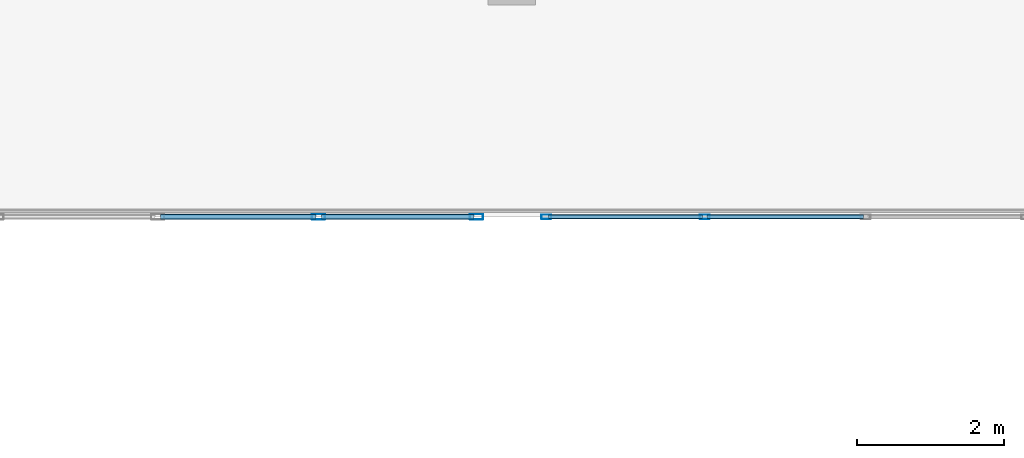
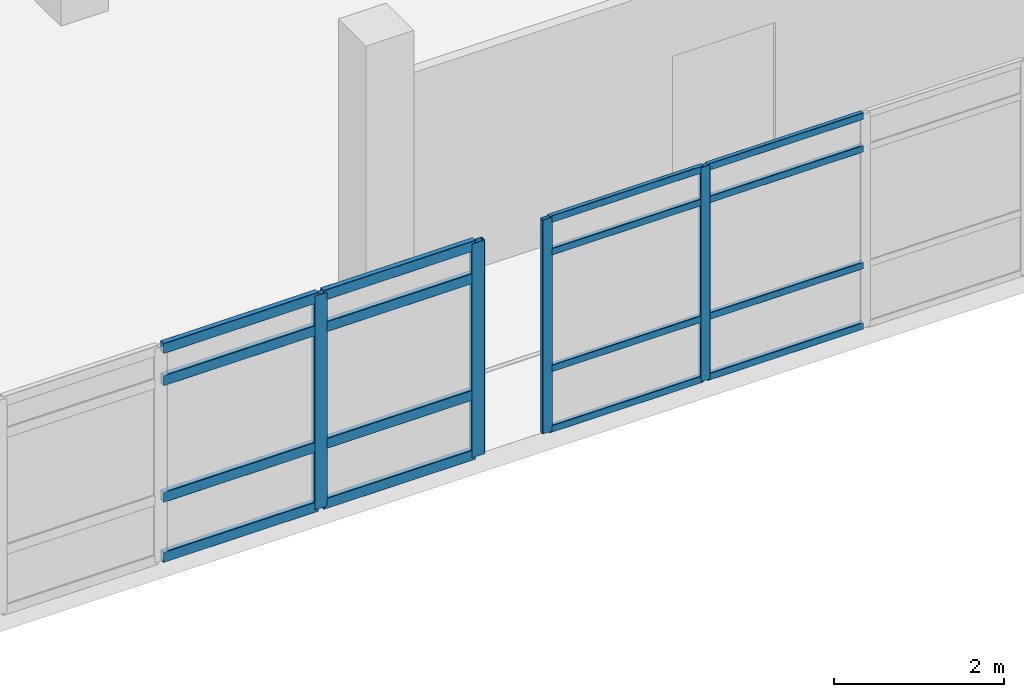
# One storey, part 26 of 72: 20 members, 2 elements without a shape of their own.
"""IFC4 building model written with IfcOpenShell, lengths in metres."""

import ifcopenshell
import ifcopenshell.guid

model = None  # the IFC model being written
_history = None  # IfcOwnerHistory: only IFC2X3 demands one
_inside = {}  # id of a spatial element -> (the spatial element, [elements in it])
_under = {}  # id of a project, library or spatial element -> (it, [spatial elements below it])
_declared = {}  # id of a project -> (the project, [libraries it declares])
_typed = {}  # id of a type object -> (the type object, [elements of that type])
_made_of = {}  # id of a material, layer set ... -> (it, [elements and type objects made of it])


def new_model(schema):
    """Start an empty IFC model of exactly this schema.

    Asked for "IFC4X3", IfcOpenShell would pick the latest addendum, in which some entities
    have other attributes; the version numbers below select the first issue.
    IFC2X3 requires an IfcOwnerHistory on every rooted entity: one is made here for all.
    """
    global model, _history
    if schema == "IFC4X3":
        model = ifcopenshell.file(schema_version=(4, 3, 0, 0))
    else:
        model = ifcopenshell.file(schema=schema)
    _inside.clear()
    _under.clear()
    _declared.clear()
    _typed.clear()
    _made_of.clear()
    _history = None
    if model.schema == "IFC2X3":
        org = make("IfcOrganization", Name="unknown")
        user = make(
            "IfcPersonAndOrganization",
            ThePerson=make("IfcPerson", FamilyName="unknown"),
            TheOrganization=org,
        )
        app = make(
            "IfcApplication",
            ApplicationDeveloper=org,
            Version="unknown",
            ApplicationFullName="unknown",
            ApplicationIdentifier="unknown",
        )
        _history = make(
            "IfcOwnerHistory",
            OwningUser=user,
            OwningApplication=app,
            ChangeAction="ADDED",
            CreationDate=0,
        )
    return model


def make(cls, **values):
    """One entity of the class cls with the attributes given. An attribute that is None is left unset."""
    return model.create_entity(
        cls, **{name: value for name, value in values.items() if value is not None}
    )


def rooted(cls, **values):
    """An entity with a GlobalId (a new one), such as an element, a storey or a relation."""
    return make(cls, GlobalId=ifcopenshell.guid.new(), OwnerHistory=_history, **values)


def si_unit(unit_type, name, prefix=None):
    """IfcSIUnit, for example si_unit("LENGTHUNIT", "METRE", prefix="MILLI")."""
    return make("IfcSIUnit", UnitType=unit_type, Prefix=prefix, Name=name)


def assignment(units):
    """IfcUnitAssignment: the units of a project."""
    return None if units is None else make("IfcUnitAssignment", Units=units)


def point(xyz):
    """IfcCartesianPoint."""
    return None if xyz is None else make("IfcCartesianPoint", Coordinates=xyz)


def direction(xyz):
    """IfcDirection."""
    return None if xyz is None else make("IfcDirection", DirectionRatios=xyz)


def frame(location, z_axis=None, x_axis=None):
    """IfcAxis2Placement3D, a coordinate frame: its origin and axes. An axis left out is left unset."""
    return make(
        "IfcAxis2Placement3D",
        Location=point(location),
        Axis=direction(z_axis),
        RefDirection=direction(x_axis),
    )


def frame_2d(location, x_axis=None):
    """IfcAxis2Placement2D, a coordinate frame in the plane: its origin and x axis."""
    return make(
        "IfcAxis2Placement2D", Location=point(location), RefDirection=direction(x_axis)
    )


def origin():
    """The frame at (0, 0, 0) with its axes left unset."""
    return frame((0.0, 0.0, 0.0))


def origin_2d():
    """The frame at (0, 0) in the plane with its x axis left unset."""
    return frame_2d((0.0, 0.0))


def place(relative_to, where):
    """IfcLocalPlacement: puts the frame where relative to a parent placement (None: the world)."""
    return make(
        "IfcLocalPlacement", PlacementRelTo=relative_to, RelativePlacement=where
    )


def context(
    kind, dimensions, precision=None, world=None, true_north=None, identifier=None
):
    """IfcGeometricRepresentationContext, for example the 3D "Model" context."""
    return make(
        "IfcGeometricRepresentationContext",
        ContextIdentifier=identifier,
        ContextType=kind,
        CoordinateSpaceDimension=dimensions,
        Precision=precision,
        WorldCoordinateSystem=world,
        TrueNorth=true_north,
    )


def subcontext(parent, identifier, kind, view, scale=None):
    """IfcGeometricRepresentationSubContext, for example "Body" below "Model"."""
    return make(
        "IfcGeometricRepresentationSubContext",
        ContextIdentifier=identifier,
        ContextType=kind,
        ParentContext=parent,
        TargetScale=scale,
        TargetView=view,
    )


def project(units=None, contexts=None):
    """IfcProject with its units and contexts."""
    return rooted(
        "IfcProject",
        Name="project",
        RepresentationContexts=contexts,
        UnitsInContext=assignment(units),
    )


def spatial(cls, under=None, at=None, **own):
    """A site, building, storey or space (cls), placed at a placement, below another one or the project."""
    s = rooted(cls, ObjectPlacement=at, **own)
    if under is not None:
        _under.setdefault(under.id(), (under, []))[1].append(s)
    return s


def profile(cls, at=None, kind="AREA", **sizes):
    """A parametric profile (cls). Its sizes go by their IFC names, for example OverallWidth=200.0."""
    return make(cls, ProfileType=kind, Position=at, **sizes)


def hollow_rectangle(**sizes):
    """IfcRectangleHollowProfileDef."""
    return profile("IfcRectangleHollowProfileDef", **sizes)


def extrude(swept, where, along, depth):
    """IfcExtrudedAreaSolid: the profile swept, set in the frame where, extruded along a direction by depth."""
    return make(
        "IfcExtrudedAreaSolid",
        SweptArea=swept,
        Position=where,
        ExtrudedDirection=direction(along),
        Depth=depth,
    )


def shape(context_of_items, identifier, shape_type, items):
    """IfcShapeRepresentation: the items that make up one representation, for example the "Body"."""
    return make(
        "IfcShapeRepresentation",
        ContextOfItems=context_of_items,
        RepresentationIdentifier=identifier,
        RepresentationType=shape_type,
        Items=items,
    )


def material(Name=None, Category=None):
    """IfcMaterial."""
    return make("IfcMaterial", Name=Name, Category=Category)


def layer(
    of_material, thickness, ventilated=None, Name=None, Category=None, Priority=None
):
    """IfcMaterialLayer: one layer of a wall or slab, of a material (None: an air gap)."""
    return make(
        "IfcMaterialLayer",
        Material=of_material,
        LayerThickness=thickness,
        IsVentilated=ventilated,
        Name=Name,
        Category=Category,
        Priority=Priority,
    )


def layer_set(layers, Name=None):
    """IfcMaterialLayerSet."""
    return make("IfcMaterialLayerSet", MaterialLayers=layers, LayerSetName=Name)


def material_profile(
    of_material, cross_section, Name=None, Category=None, Priority=None
):
    """IfcMaterialProfile: a cross section and its material."""
    return make(
        "IfcMaterialProfile",
        Name=Name,
        Material=of_material,
        Profile=cross_section,
        Priority=Priority,
        Category=Category,
    )


def profile_set(profiles, Name=None, composite=None):
    """IfcMaterialProfileSet."""
    return make(
        "IfcMaterialProfileSet",
        Name=Name,
        MaterialProfiles=profiles,
        CompositeProfile=composite,
    )


def made_of(thing, what):
    """Note that an element or type object is made of a material, layer set ...; save() writes the relation."""
    if what is not None:
        _made_of.setdefault(what.id(), (what, []))[1].append(thing)
    return thing


def type_object(cls, material=None, **own):
    """A type object (cls), such as IfcWallType, which elements share."""
    return made_of(rooted(cls, **own), material)


def element(
    cls,
    number,
    at=None,
    inside=None,
    cuts=None,
    type_object=None,
    material=None,
    context=None,
    identifier="Body",
    shape_type=None,
    held_by="IfcProductDefinitionShape",
    body=None,
    shapes=None,
    **own,
):
    """One element of the class cls, such as IfcWall. Its Tag is "e" and its number.

    at: its placement. inside: the storey or other place that contains it. cuts: it is an
    opening in that element (IfcRelVoidsElement). A single representation is given by context,
    identifier, shape_type and body (its items); several are given by shapes. held_by: the class
    of the entity that holds the representations. save() writes the other relations.
    """
    e = rooted(cls, Tag="e%d" % number, ObjectPlacement=at, **own)
    if body is not None:
        shapes = [shape(context, identifier, shape_type, body)]
    if shapes is not None:
        e.Representation = make(held_by, Representations=shapes)
    if inside is not None:
        _inside.setdefault(inside.id(), (inside, []))[1].append(e)
    if cuts is not None:
        rooted(
            "IfcRelVoidsElement", RelatingBuildingElement=cuts, RelatedOpeningElement=e
        )
    if type_object is not None:
        _typed.setdefault(type_object.id(), (type_object, []))[1].append(e)
    return made_of(e, material)


def aggregate(whole, parts):
    """IfcRelAggregates: a whole, such as a stair, and the parts it consists of."""
    return rooted("IfcRelAggregates", RelatingObject=whole, RelatedObjects=parts)


def save(model, path):
    """Write the relations noted so far, then the file.

    IfcRelAggregates (storeys below a building ...), IfcRelContainedInSpatialStructure (elements
    in a storey), IfcRelDefinesByType, IfcRelAssociatesMaterial and IfcRelDeclares: one each for
    every whole, place, type object, material and project.
    """
    for whole, parts in _under.values():
        aggregate(whole, parts)
    for where, things in _inside.values():
        rooted(
            "IfcRelContainedInSpatialStructure",
            RelatedElements=things,
            RelatingStructure=where,
        )
    for kind, things in _typed.values():
        rooted("IfcRelDefinesByType", RelatedObjects=things, RelatingType=kind)
    for what, things in _made_of.values():
        rooted("IfcRelAssociatesMaterial", RelatedObjects=things, RelatingMaterial=what)
    for by, libraries in _declared.values():
        rooted("IfcRelDeclares", RelatingContext=by, RelatedDefinitions=libraries)
    model.write(path)


model = new_model("IFC4")

# Units and contexts
model_context = context("Model", 3, precision=1e-05, world=origin(), true_north=direction((0.0, 1.0)))
body_context = subcontext(model_context, "Body", "Model", "MODEL_VIEW")
ifc_project = project(units=[si_unit("LENGTHUNIT", "METRE"), si_unit("AREAUNIT", "SQUARE_METRE"), si_unit("VOLUMEUNIT", "CUBIC_METRE"), si_unit("PLANEANGLEUNIT", "RADIAN"), si_unit("MASSUNIT", "GRAM", prefix="KILO")], contexts=[model_context])

# Site, building, storey
site_placement = place(None, origin())
site = spatial("IfcSite", under=ifc_project, at=site_placement, CompositionType="ELEMENT")
building_placement = place(site_placement, origin())
building = spatial("IfcBuilding", under=site, at=building_placement, Name="Asteropetra Specialist Clinic", CompositionType="ELEMENT")
storey_placement = place(building_placement, frame((0.0, 0.0, 12.580078125)))
storey = spatial("IfcBuildingStorey", under=building, at=storey_placement, Name="L03", CompositionType="ELEMENT", Elevation=12.580078125)

# Curtain wall, members
ifc_material_1 = material(Name="Aluminium and low-E glass", Category="aluminium")
ifc_layer_1 = layer(ifc_material_1, 0.179931640625)
ifc_layer_set_1 = layer_set([ifc_layer_1], Name="Aluminium and low-E glass")
curtain_wall_type_1 = type_object("IfcCurtainWallType", Name="CW-SYS-04", PredefinedType="USERDEFINED", material=ifc_layer_set_1)
curtain_wall_1_placement = place(storey_placement, origin())
curtain_wall_1 = element("IfcCurtainWall", 1, at=curtain_wall_1_placement, inside=storey, type_object=curtain_wall_type_1, Name="Curtain Wall CW-044", ObjectType="UNITISED CURTAIN WALL", PredefinedType="USERDEFINED")
ifc_material_2 = material(Name="Aluminium 6063-T6", Category="aluminium")
ifc_material_profile_1 = material_profile(ifc_material_2, hollow_rectangle(XDim=0.06005859375, YDim=0.135009765625, WallThickness=0.00341796875, InnerFilletRadius=0.00341796875, OuterFilletRadius=0.007080078125, at=origin_2d()), Name="MUL 135x60x3.5")
ifc_profile_set_1 = profile_set([ifc_material_profile_1], Name="Aluminium 6063-T6")
member_type_1 = type_object("IfcMemberType", Name="CWM-135x60", PredefinedType="MULLION", material=ifc_profile_set_1)
member_1_placement = place(storey_placement, frame((21.820068359375, 95.199951171875, 0.0), z_axis=(0.0, 0.0, 1.0), x_axis=(0.0, -1.0, 0.0)))
member_1 = element("IfcMember", 2, at=member_1_placement, type_object=member_type_1, Name="CW-044 mullion 4", PredefinedType="MULLION", context=body_context, shape_type="SweptSolid", body=[
    extrude(hollow_rectangle(XDim=0.06005859375, YDim=0.135009765625, WallThickness=0.00341796875, InnerFilletRadius=0.00341796875, OuterFilletRadius=0.007080078125, at=origin_2d()), origin(), (0.0, 0.0, 1.0), 3.079833984375),
])
member_2_placement = place(storey_placement, frame((19.669921875, 95.199951171875, 0.0), z_axis=(0.0, 0.0, 1.0), x_axis=(0.0, -1.0, 0.0)))
member_2 = element("IfcMember", 3, at=member_2_placement, type_object=member_type_1, Name="CW-044 mullion 5", PredefinedType="MULLION", context=body_context, shape_type="SweptSolid", body=[
    extrude(hollow_rectangle(XDim=0.06005859375, YDim=0.135009765625, WallThickness=0.00341796875, InnerFilletRadius=0.00341796875, OuterFilletRadius=0.007080078125, at=origin_2d()), origin(), (0.0, 0.0, 1.0), 3.079833984375),
])

ifc_material_3 = material(Name="Aluminium and low-E glass", Category="aluminium")
ifc_layer_2 = layer(ifc_material_3, 0.135009765625)
ifc_layer_set_2 = layer_set([ifc_layer_2], Name="Aluminium and low-E glass")
curtain_wall_type_2 = type_object("IfcCurtainWallType", Name="CW-SYS-03", PredefinedType="USERDEFINED", material=ifc_layer_set_2)
curtain_wall_2_placement = place(storey_placement, origin())
curtain_wall_2 = element("IfcCurtainWall", 4, at=curtain_wall_2_placement, inside=storey, type_object=curtain_wall_type_2, Name="Curtain Wall CW-042", ObjectType="UNITISED CURTAIN WALL", PredefinedType="USERDEFINED")
ifc_material_4 = material(Name="Aluminium 6063-T6", Category="aluminium")
ifc_material_profile_2 = material_profile(ifc_material_4, hollow_rectangle(XDim=0.074951171875, YDim=0.179931640625, WallThickness=0.00390625, InnerFilletRadius=0.00390625, OuterFilletRadius=0.008056640625, at=origin_2d()), Name="MUL 180x75x4.0")
ifc_profile_set_2 = profile_set([ifc_material_profile_2], Name="Aluminium 6063-T6")
member_type_2 = type_object("IfcMemberType", Name="CWM-180x75", PredefinedType="MULLION", material=ifc_profile_set_2)
member_3_placement = place(storey_placement, frame((18.722412109375, 95.199951171875, 0.0), z_axis=(0.0, 0.0, 1.0), x_axis=(0.0, -1.0, 0.0)))
member_3 = element("IfcMember", 5, at=member_3_placement, type_object=member_type_2, Name="CW-042 mullion 1", PredefinedType="MULLION", context=body_context, shape_type="SweptSolid", body=[
    extrude(hollow_rectangle(XDim=0.074951171875, YDim=0.179931640625, WallThickness=0.00390625, InnerFilletRadius=0.00390625, OuterFilletRadius=0.008056640625, at=origin_2d()), origin(), (0.0, 0.0, 1.0), 3.079833984375),
])
member_4_placement = place(storey_placement, frame((16.580078125, 95.199951171875, 0.0), z_axis=(0.0, 0.0, 1.0), x_axis=(0.0, -1.0, 0.0)))
member_4 = element("IfcMember", 6, at=member_4_placement, type_object=member_type_2, Name="CW-042 mullion 2", PredefinedType="MULLION", context=body_context, shape_type="SweptSolid", body=[
    extrude(hollow_rectangle(XDim=0.074951171875, YDim=0.179931640625, WallThickness=0.00390625, InnerFilletRadius=0.00390625, OuterFilletRadius=0.008056640625, at=origin_2d()), origin(), (0.0, 0.0, 1.0), 3.079833984375),
])

# Member
ifc_material_5 = material(Name="Aluminium 6063-T6", Category="aluminium")
ifc_material_profile_3 = material_profile(ifc_material_5, hollow_rectangle(XDim=0.06005859375, YDim=0.10009765625, WallThickness=0.00341796875, InnerFilletRadius=0.00341796875, OuterFilletRadius=0.007080078125, at=origin_2d()), Name="TRN 100x60x3.5")
ifc_profile_set_3 = profile_set([ifc_material_profile_3], Name="Aluminium 6063-T6")
member_type_3 = type_object("IfcMemberType", Name="CWT-100x60", PredefinedType="USERDEFINED", material=ifc_profile_set_3)
member_5_placement = place(storey_placement, frame((23.969970703125, 95.199951171875, 0.030029296875), z_axis=(-1.0, 0.0, 0.0), x_axis=(0.0, -1.0, 0.0)))
member_5 = element("IfcMember", 7, at=member_5_placement, type_object=member_type_3, Name="CW-044 transom 3.1", ObjectType="TRANSOM", PredefinedType="USERDEFINED", context=body_context, shape_type="SweptSolid", body=[
    extrude(hollow_rectangle(XDim=0.06005859375, YDim=0.10009765625, WallThickness=0.00341796875, InnerFilletRadius=0.00341796875, OuterFilletRadius=0.007080078125, at=origin_2d()), origin(), (0.0, 0.0, 1.0), 2.119873046875),
])

member_6_placement = place(storey_placement, frame((23.969970703125, 95.199951171875, 0.89990234375), z_axis=(-1.0, 0.0, 0.0), x_axis=(0.0, -1.0, 0.0)))
member_6 = element("IfcMember", 8, at=member_6_placement, type_object=member_type_3, Name="CW-044 transom 3.2", ObjectType="TRANSOM", PredefinedType="USERDEFINED", context=body_context, shape_type="SweptSolid", body=[
    extrude(hollow_rectangle(XDim=0.06005859375, YDim=0.10009765625, WallThickness=0.00341796875, InnerFilletRadius=0.00341796875, OuterFilletRadius=0.007080078125, at=origin_2d()), origin(), (0.0, 0.0, 1.0), 2.119873046875),
])

member_7_placement = place(storey_placement, frame((23.969970703125, 95.199951171875, 2.579833984375), z_axis=(-1.0, 0.0, 0.0), x_axis=(0.0, -1.0, 0.0)))
member_7 = element("IfcMember", 9, at=member_7_placement, type_object=member_type_3, Name="CW-044 transom 3.3", ObjectType="TRANSOM", PredefinedType="USERDEFINED", context=body_context, shape_type="SweptSolid", body=[
    extrude(hollow_rectangle(XDim=0.06005859375, YDim=0.10009765625, WallThickness=0.00341796875, InnerFilletRadius=0.00341796875, OuterFilletRadius=0.007080078125, at=origin_2d()), origin(), (0.0, 0.0, 1.0), 2.119873046875),
])

member_8_placement = place(storey_placement, frame((23.969970703125, 95.199951171875, 3.0498046875), z_axis=(-1.0, 0.0, 0.0), x_axis=(0.0, -1.0, 0.0)))
member_8 = element("IfcMember", 10, at=member_8_placement, type_object=member_type_3, Name="CW-044 transom 3.4", ObjectType="TRANSOM", PredefinedType="USERDEFINED", context=body_context, shape_type="SweptSolid", body=[
    extrude(hollow_rectangle(XDim=0.06005859375, YDim=0.10009765625, WallThickness=0.00341796875, InnerFilletRadius=0.00341796875, OuterFilletRadius=0.007080078125, at=origin_2d()), origin(), (0.0, 0.0, 1.0), 2.119873046875),
])

member_9_placement = place(storey_placement, frame((21.7900390625, 95.199951171875, 0.030029296875), z_axis=(-1.0, 0.0, 0.0), x_axis=(0.0, -1.0, 0.0)))
member_9 = element("IfcMember", 11, at=member_9_placement, type_object=member_type_3, Name="CW-044 transom 4.1", ObjectType="TRANSOM", PredefinedType="USERDEFINED", context=body_context, shape_type="SweptSolid", body=[
    extrude(hollow_rectangle(XDim=0.06005859375, YDim=0.10009765625, WallThickness=0.00341796875, InnerFilletRadius=0.00341796875, OuterFilletRadius=0.007080078125, at=origin_2d()), origin(), (0.0, 0.0, 1.0), 2.090087890625),
])

member_10_placement = place(storey_placement, frame((21.7900390625, 95.199951171875, 0.89990234375), z_axis=(-1.0, 0.0, 0.0), x_axis=(0.0, -1.0, 0.0)))
member_10 = element("IfcMember", 12, at=member_10_placement, type_object=member_type_3, Name="CW-044 transom 4.2", ObjectType="TRANSOM", PredefinedType="USERDEFINED", context=body_context, shape_type="SweptSolid", body=[
    extrude(hollow_rectangle(XDim=0.06005859375, YDim=0.10009765625, WallThickness=0.00341796875, InnerFilletRadius=0.00341796875, OuterFilletRadius=0.007080078125, at=origin_2d()), origin(), (0.0, 0.0, 1.0), 2.090087890625),
])

member_11_placement = place(storey_placement, frame((21.7900390625, 95.199951171875, 2.579833984375), z_axis=(-1.0, 0.0, 0.0), x_axis=(0.0, -1.0, 0.0)))
member_11 = element("IfcMember", 13, at=member_11_placement, type_object=member_type_3, Name="CW-044 transom 4.3", ObjectType="TRANSOM", PredefinedType="USERDEFINED", context=body_context, shape_type="SweptSolid", body=[
    extrude(hollow_rectangle(XDim=0.06005859375, YDim=0.10009765625, WallThickness=0.00341796875, InnerFilletRadius=0.00341796875, OuterFilletRadius=0.007080078125, at=origin_2d()), origin(), (0.0, 0.0, 1.0), 2.090087890625),
])

member_12_placement = place(storey_placement, frame((21.7900390625, 95.199951171875, 3.0498046875), z_axis=(-1.0, 0.0, 0.0), x_axis=(0.0, -1.0, 0.0)))
member_12 = element("IfcMember", 14, at=member_12_placement, type_object=member_type_3, Name="CW-044 transom 4.4", ObjectType="TRANSOM", PredefinedType="USERDEFINED", context=body_context, shape_type="SweptSolid", body=[
    extrude(hollow_rectangle(XDim=0.06005859375, YDim=0.10009765625, WallThickness=0.00341796875, InnerFilletRadius=0.00341796875, OuterFilletRadius=0.007080078125, at=origin_2d()), origin(), (0.0, 0.0, 1.0), 2.090087890625),
])

aggregate(curtain_wall_1, [member_1, member_2, member_5, member_6, member_7, member_8, member_9, member_10, member_11, member_12])

ifc_material_6 = material(Name="Aluminium 6063-T6", Category="aluminium")
ifc_material_profile_4 = material_profile(ifc_material_6, hollow_rectangle(XDim=0.074951171875, YDim=0.14990234375, WallThickness=0.00390625, InnerFilletRadius=0.00390625, OuterFilletRadius=0.008056640625, at=origin_2d()), Name="TRN 150x75x4.0")
ifc_profile_set_4 = profile_set([ifc_material_profile_4], Name="Aluminium 6063-T6")
member_type_4 = type_object("IfcMemberType", Name="CWT-150x75", PredefinedType="USERDEFINED", material=ifc_profile_set_4)
member_13_placement = place(storey_placement, frame((18.68505859375, 95.199951171875, 0.037353515625), z_axis=(-1.0, 0.0, 0.0), x_axis=(0.0, -1.0, 0.0)))
member_13 = element("IfcMember", 15, at=member_13_placement, type_object=member_type_4, Name="CW-042 transom 1.1", ObjectType="TRANSOM", PredefinedType="USERDEFINED", context=body_context, shape_type="SweptSolid", body=[
    extrude(hollow_rectangle(XDim=0.074951171875, YDim=0.14990234375, WallThickness=0.00390625, InnerFilletRadius=0.00390625, OuterFilletRadius=0.008056640625, at=origin_2d()), origin(), (0.0, 0.0, 1.0), 2.067626953125),
])

member_14_placement = place(storey_placement, frame((18.68505859375, 95.199951171875, 0.89990234375), z_axis=(-1.0, 0.0, 0.0), x_axis=(0.0, -1.0, 0.0)))
member_14 = element("IfcMember", 16, at=member_14_placement, type_object=member_type_4, Name="CW-042 transom 1.2", ObjectType="TRANSOM", PredefinedType="USERDEFINED", context=body_context, shape_type="SweptSolid", body=[
    extrude(hollow_rectangle(XDim=0.074951171875, YDim=0.14990234375, WallThickness=0.00390625, InnerFilletRadius=0.00390625, OuterFilletRadius=0.008056640625, at=origin_2d()), origin(), (0.0, 0.0, 1.0), 2.067626953125),
])

member_15_placement = place(storey_placement, frame((18.68505859375, 95.199951171875, 2.579833984375), z_axis=(-1.0, 0.0, 0.0), x_axis=(0.0, -1.0, 0.0)))
member_15 = element("IfcMember", 17, at=member_15_placement, type_object=member_type_4, Name="CW-042 transom 1.3", ObjectType="TRANSOM", PredefinedType="USERDEFINED", context=body_context, shape_type="SweptSolid", body=[
    extrude(hollow_rectangle(XDim=0.074951171875, YDim=0.14990234375, WallThickness=0.00390625, InnerFilletRadius=0.00390625, OuterFilletRadius=0.008056640625, at=origin_2d()), origin(), (0.0, 0.0, 1.0), 2.067626953125),
])

member_16_placement = place(storey_placement, frame((18.68505859375, 95.199951171875, 3.04248046875), z_axis=(-1.0, 0.0, 0.0), x_axis=(0.0, -1.0, 0.0)))
member_16 = element("IfcMember", 18, at=member_16_placement, type_object=member_type_4, Name="CW-042 transom 1.4", ObjectType="TRANSOM", PredefinedType="USERDEFINED", context=body_context, shape_type="SweptSolid", body=[
    extrude(hollow_rectangle(XDim=0.074951171875, YDim=0.14990234375, WallThickness=0.00390625, InnerFilletRadius=0.00390625, OuterFilletRadius=0.008056640625, at=origin_2d()), origin(), (0.0, 0.0, 1.0), 2.067626953125),
])

member_17_placement = place(storey_placement, frame((16.54248046875, 95.199951171875, 0.037353515625), z_axis=(-1.0, 0.0, 0.0), x_axis=(0.0, -1.0, 0.0)))
member_17 = element("IfcMember", 19, at=member_17_placement, type_object=member_type_4, Name="CW-042 transom 2.1", ObjectType="TRANSOM", PredefinedType="USERDEFINED", context=body_context, shape_type="SweptSolid", body=[
    extrude(hollow_rectangle(XDim=0.074951171875, YDim=0.14990234375, WallThickness=0.00390625, InnerFilletRadius=0.00390625, OuterFilletRadius=0.008056640625, at=origin_2d()), origin(), (0.0, 0.0, 1.0), 2.10498046875),
])

member_18_placement = place(storey_placement, frame((16.54248046875, 95.199951171875, 0.89990234375), z_axis=(-1.0, 0.0, 0.0), x_axis=(0.0, -1.0, 0.0)))
member_18 = element("IfcMember", 20, at=member_18_placement, type_object=member_type_4, Name="CW-042 transom 2.2", ObjectType="TRANSOM", PredefinedType="USERDEFINED", context=body_context, shape_type="SweptSolid", body=[
    extrude(hollow_rectangle(XDim=0.074951171875, YDim=0.14990234375, WallThickness=0.00390625, InnerFilletRadius=0.00390625, OuterFilletRadius=0.008056640625, at=origin_2d()), origin(), (0.0, 0.0, 1.0), 2.10498046875),
])

member_19_placement = place(storey_placement, frame((16.54248046875, 95.199951171875, 2.579833984375), z_axis=(-1.0, 0.0, 0.0), x_axis=(0.0, -1.0, 0.0)))
member_19 = element("IfcMember", 21, at=member_19_placement, type_object=member_type_4, Name="CW-042 transom 2.3", ObjectType="TRANSOM", PredefinedType="USERDEFINED", context=body_context, shape_type="SweptSolid", body=[
    extrude(hollow_rectangle(XDim=0.074951171875, YDim=0.14990234375, WallThickness=0.00390625, InnerFilletRadius=0.00390625, OuterFilletRadius=0.008056640625, at=origin_2d()), origin(), (0.0, 0.0, 1.0), 2.10498046875),
])

member_20_placement = place(storey_placement, frame((16.54248046875, 95.199951171875, 3.04248046875), z_axis=(-1.0, 0.0, 0.0), x_axis=(0.0, -1.0, 0.0)))
member_20 = element("IfcMember", 22, at=member_20_placement, type_object=member_type_4, Name="CW-042 transom 2.4", ObjectType="TRANSOM", PredefinedType="USERDEFINED", context=body_context, shape_type="SweptSolid", body=[
    extrude(hollow_rectangle(XDim=0.074951171875, YDim=0.14990234375, WallThickness=0.00390625, InnerFilletRadius=0.00390625, OuterFilletRadius=0.008056640625, at=origin_2d()), origin(), (0.0, 0.0, 1.0), 2.10498046875),
])

aggregate(curtain_wall_2, [member_3, member_4, member_13, member_14, member_15, member_16, member_17, member_18, member_19, member_20])

save(model, "model.ifc")
